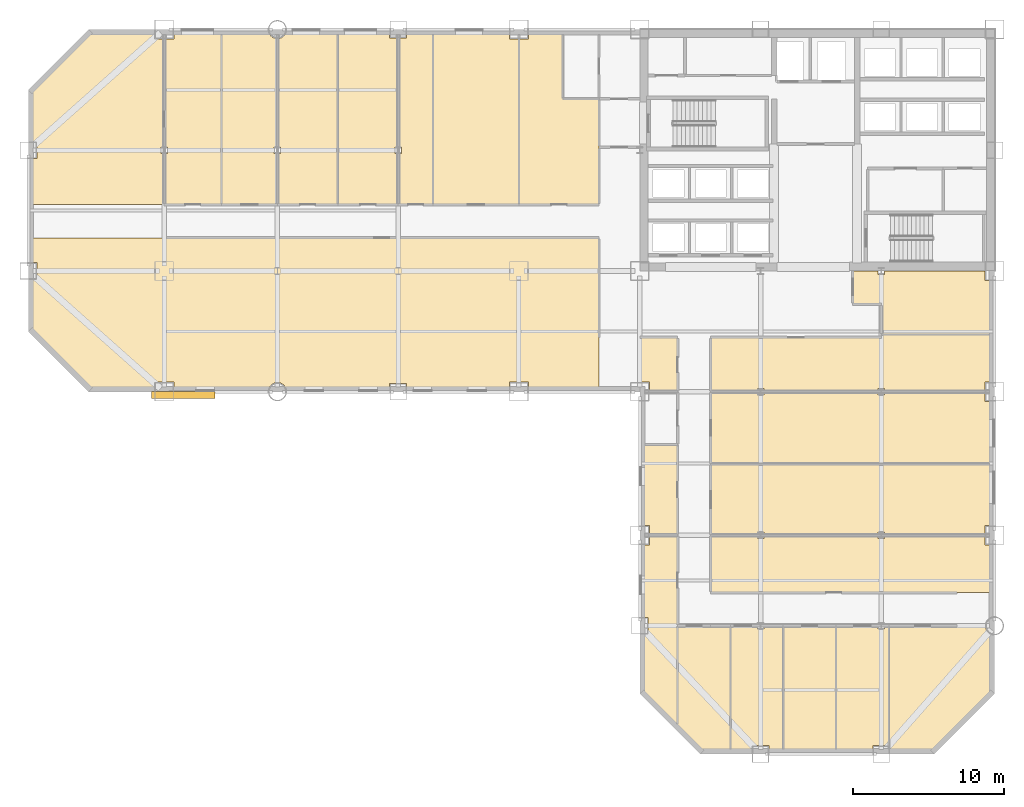
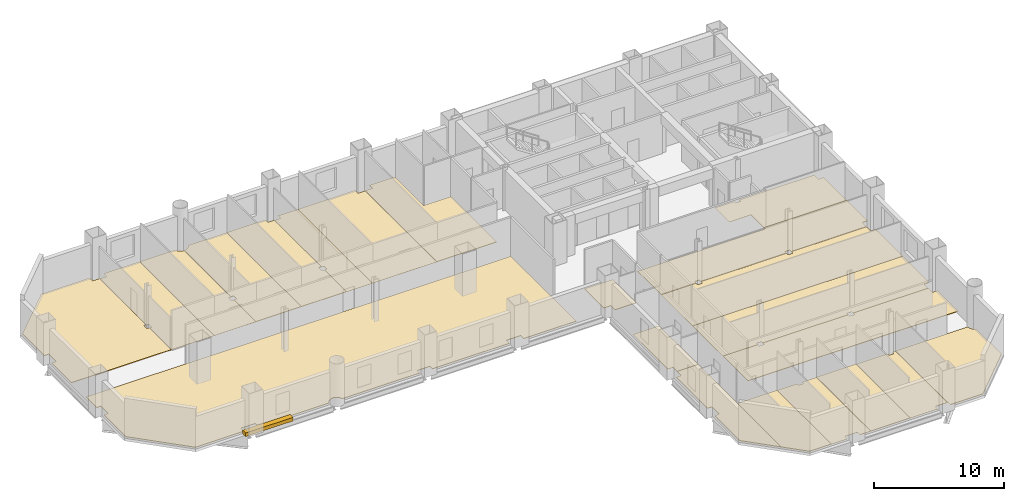
# One storey, part 8 of 9: 22 coverings, 1 shading device.
"""IFC4 building model written with IfcOpenShell, lengths in metres."""

from ifc_helpers import new_model, si_unit, direction, frame, origin, origin_2d, place, context, subcontext, project, spatial, polyline, rectangle, outline, extrude, material, layer, layer_set, type_object, element, save


model = new_model("IFC4")

# Units and contexts
model_context = context("Model", 3, precision=1e-05, world=origin(), true_north=direction((0.0, 1.0)))
body_context = subcontext(model_context, "Body", "Model", "MODEL_VIEW")
ifc_project = project(units=[si_unit("LENGTHUNIT", "METRE"), si_unit("AREAUNIT", "SQUARE_METRE"), si_unit("VOLUMEUNIT", "CUBIC_METRE"), si_unit("PLANEANGLEUNIT", "RADIAN"), si_unit("MASSUNIT", "GRAM", prefix="KILO")], contexts=[model_context])

# Site, building, storey
site_placement = place(None, origin())
site = spatial("IfcSite", under=ifc_project, at=site_placement, CompositionType="ELEMENT")
building_placement = place(site_placement, origin())
building = spatial("IfcBuilding", under=site, at=building_placement, Name="Qianrong Seaharbour Tower", CompositionType="ELEMENT")
storey_placement = place(building_placement, frame((0.0, 0.0, 32.199951171875)))
storey = spatial("IfcBuildingStorey", under=building, at=storey_placement, Name="L07", CompositionType="ELEMENT", Elevation=32.199951171875)

# Coverings
ifc_material_1 = material(Name="Acoustic modular carpet tile flooring")
ifc_layer_1 = layer(ifc_material_1, 0.02001953125)
ifc_layer_set_1 = layer_set([ifc_layer_1], Name="Acoustic modular carpet tile flooring")
covering_type_1 = type_object("IfcCoveringType", Name="COV-FLOOR-CARPET-20", PredefinedType="FLOORING", material=ifc_layer_set_1)
covering_1_placement = place(storey_placement, origin())
element("IfcCovering", 1, at=covering_1_placement, inside=storey, type_object=covering_type_1, Name="L07 Focus Room 2 Finish Flooring", PredefinedType="FLOORING", context=body_context, shape_type="SweptSolid", body=[
    extrude(outline(polyline([(9.0, 43.77587890625), (9.21337890625, 43.77587890625), (9.21337890625, 44.22412109375), (9.0, 44.22412109375), (9.0, 51.364990234375), (9.635009765625, 51.364990234375), (9.635009765625, 51.824951171875), (12.800048828125, 51.824951171875), (12.800048828125, 40.39990234375), (9.0, 40.39990234375), (9.0, 43.77587890625)])), origin(), (0.0, 0.0, 1.0), 0.02001953125),
])
covering_2_placement = place(storey_placement, origin())
element("IfcCovering", 2, at=covering_2_placement, inside=storey, type_object=covering_type_1, Name="L07 Meeting Room 3 Finish Flooring", PredefinedType="FLOORING", context=body_context, shape_type="SweptSolid", body=[
    extrude(outline(polyline([(12.800048828125, 51.824951171875), (15.918701171875, 51.824951171875), (15.936279296875, 51.7666015625), (15.992919921875, 51.6611328125), (16.068603515625, 51.568603515625), (16.1611328125, 51.492919921875), (16.2666015625, 51.436279296875), (16.381103515625, 51.401611328125), (16.5, 51.389892578125), (16.5, 44.22412109375), (16.28662109375, 44.22412109375), (16.28662109375, 43.77587890625), (16.5, 43.77587890625), (16.5, 40.39990234375), (12.800048828125, 40.39990234375), (12.800048828125, 51.824951171875)])), origin(), (0.0, 0.0, 1.0), 0.02001953125),
])
covering_3_placement = place(storey_placement, origin())
element("IfcCovering", 3, at=covering_3_placement, inside=storey, type_object=covering_type_1, Name="L07 Focus Room 6 Finish Flooring", PredefinedType="FLOORING", context=body_context, shape_type="SweptSolid", body=[
    extrude(outline(polyline([(24.5, 43.77587890625), (24.71337890625, 43.77587890625), (24.71337890625, 44.22412109375), (24.5, 44.22412109375), (24.5, 51.43994140625), (25.06005859375, 51.43994140625), (25.06005859375, 51.824951171875), (26.800048828125, 51.824951171875), (26.800048828125, 40.39990234375), (24.5, 40.39990234375), (24.5, 43.77587890625)])), origin(), (0.0, 0.0, 1.0), 0.02001953125),
])
covering_4_placement = place(storey_placement, origin())
element("IfcCovering", 4, at=covering_4_placement, inside=storey, type_object=covering_type_1, Name="L07 Meeting Room 7 Finish Flooring", PredefinedType="FLOORING", context=body_context, shape_type="SweptSolid", body=[
    extrude(outline(polyline([(26.800048828125, 51.824951171875), (31.864990234375, 51.824951171875), (31.864990234375, 51.364990234375), (32.5, 51.364990234375), (32.5, 40.39990234375), (26.800048828125, 40.39990234375), (26.800048828125, 51.824951171875)])), origin(), (0.0, 0.0, 1.0), 0.02001953125),
])
covering_5_placement = place(storey_placement, origin())
element("IfcCovering", 5, at=covering_5_placement, inside=storey, type_object=covering_type_1, Name="L07 Boardroom 2 Finish Flooring", PredefinedType="FLOORING", context=body_context, shape_type="SweptSolid", body=[
    extrude(outline(polyline([(63.824951171875, 23.199951171875), (63.824951171875, 19.135009765625), (63.364990234375, 19.135009765625), (63.364990234375, 18.5), (56.71337890625, 18.5), (56.71337890625, 18.72412109375), (56.28662109375, 18.72412109375), (56.28662109375, 18.5), (48.71337890625, 18.5), (48.71337890625, 18.72412109375), (48.28662109375, 18.72412109375), (48.28662109375, 18.5), (45.199951171875, 18.5), (45.199951171875, 23.199951171875), (63.824951171875, 23.199951171875)])), origin(), (0.0, 0.0, 1.0), 0.02001953125),
])
covering_6_placement = place(storey_placement, origin())
element("IfcCovering", 6, at=covering_6_placement, inside=storey, type_object=covering_type_1, Name="L07 Focus Room 3 Finish Flooring", PredefinedType="FLOORING", context=body_context, shape_type="SweptSolid", body=[
    extrude(outline(polyline([(48.28662109375, 28.0), (48.28662109375, 27.77587890625), (48.71337890625, 27.77587890625), (48.71337890625, 28.0), (56.28662109375, 28.0), (56.28662109375, 27.77587890625), (56.71337890625, 27.77587890625), (56.71337890625, 28.0), (63.364990234375, 28.0), (63.364990234375, 27.364990234375), (63.824951171875, 27.364990234375), (63.824951171875, 23.199951171875), (45.199951171875, 23.199951171875), (45.199951171875, 28.0), (48.28662109375, 28.0)])), origin(), (0.0, 0.0, 1.0), 0.02001953125),
])
covering_7_placement = place(storey_placement, origin())
element("IfcCovering", 7, at=covering_7_placement, inside=storey, type_object=covering_type_1, Name="L07 Boardroom 5 Finish Flooring", PredefinedType="FLOORING", context=body_context, shape_type="SweptSolid", body=[
    extrude(outline(polyline([(63.824951171875, 31.800048828125), (56.5, 31.800048828125), (56.5, 33.800048828125), (54.60009765625, 33.800048828125), (54.60009765625, 36.0), (56.28662109375, 36.0), (56.28662109375, 35.77587890625), (56.71337890625, 35.77587890625), (56.71337890625, 36.0), (63.364990234375, 36.0), (63.364990234375, 35.364990234375), (63.824951171875, 35.364990234375), (63.824951171875, 31.800048828125)])), origin(), (0.0, 0.0, 1.0), 0.02001953125),
])
covering_8_placement = place(storey_placement, origin())
element("IfcCovering", 8, at=covering_8_placement, inside=storey, type_object=covering_type_1, Name="L07 Wet Pantry 2 Finish Flooring", PredefinedType="FLOORING", context=body_context, shape_type="SweptSolid", body=[
    extrude(outline(polyline([(41.135009765625, 18.5), (41.135009765625, 19.135009765625), (40.675048828125, 19.135009765625), (40.675048828125, 24.5), (43.0, 24.5), (43.0, 18.5), (41.135009765625, 18.5)])), origin(), (0.0, 0.0, 1.0), 0.02001953125),
])
covering_9_placement = place(storey_placement, origin())
element("IfcCovering", 9, at=covering_9_placement, inside=storey, type_object=covering_type_1, Name="L07 Meeting Room 2 Finish Flooring", PredefinedType="FLOORING", context=body_context, shape_type="SweptSolid", body=[
    extrude(outline(polyline([(50.0, 4.175048828125), (49.06005859375, 4.175048828125), (49.06005859375, 4.56005859375), (47.93994140625, 4.56005859375), (47.93994140625, 4.175048828125), (46.5, 4.175048828125), (46.5, 12.5), (48.28662109375, 12.5), (48.28662109375, 12.27587890625), (48.71337890625, 12.27587890625), (48.71337890625, 12.5), (50.0, 12.5), (50.0, 4.175048828125)])), origin(), (0.0, 0.0, 1.0), 0.02001953125),
])
covering_10_placement = place(storey_placement, origin())
element("IfcCovering", 10, at=covering_10_placement, inside=storey, type_object=covering_type_1, Name="L07 Meeting Room 4 Finish Flooring", PredefinedType="FLOORING", context=body_context, shape_type="SweptSolid", body=[
    extrude(outline(polyline([(57.0, 4.56005859375), (55.93994140625, 4.56005859375), (55.93994140625, 4.175048828125), (53.5, 4.175048828125), (53.5, 12.5), (56.28662109375, 12.5), (56.28662109375, 12.27587890625), (56.71337890625, 12.27587890625), (56.71337890625, 12.5), (57.0, 12.5), (57.0, 4.56005859375)])), origin(), (0.0, 0.0, 1.0), 0.02001953125),
])
ifc_material_2 = material(Name="Calcium-sulphate raised access floor tile")
ifc_layer_2 = layer(ifc_material_2, 0.044921875)
ifc_layer_set_2 = layer_set([ifc_layer_2], Name="Calcium-sulphate raised access floor tile")
covering_type_2 = type_object("IfcCoveringType", Name="COV-FLOOR-RAISED-45", PredefinedType="FLOORING", material=ifc_layer_set_2)
covering_11_placement = place(storey_placement, origin())
element("IfcCovering", 11, at=covering_11_placement, inside=storey, type_object=covering_type_2, Name="L07 Open-Plan Office Finish Flooring", PredefinedType="FLOORING", context=body_context, shape_type="SweptSolid", body=[
    extrude(outline(polyline([(33.135009765625, 28.175048828125), (33.135009765625, 28.635009765625), (31.864990234375, 28.635009765625), (31.864990234375, 28.175048828125), (25.06005859375, 28.175048828125), (25.06005859375, 28.56005859375), (23.93994140625, 28.56005859375), (23.93994140625, 28.175048828125), (17.081298828125, 28.175048828125), (17.063720703125, 28.2333984375), (17.007080078125, 28.3388671875), (16.931396484375, 28.431396484375), (16.8388671875, 28.507080078125), (16.7333984375, 28.563720703125), (16.618896484375, 28.598388671875), (16.5, 28.610107421875), (16.381103515625, 28.598388671875), (16.2666015625, 28.563720703125), (16.1611328125, 28.507080078125), (16.068603515625, 28.431396484375), (15.992919921875, 28.3388671875), (15.936279296875, 28.2333984375), (15.918701171875, 28.175048828125), (9.635009765625, 28.175048828125), (9.635009765625, 28.635009765625), (8.364990234375, 28.635009765625), (8.364990234375, 28.175048828125), (4.072509765625, 28.175048828125), (0.175048828125, 32.072509765625), (0.175048828125, 35.43994140625), (0.56005859375, 35.43994140625), (0.56005859375, 36.56005859375), (0.175048828125, 36.56005859375), (0.175048828125, 38.199951171875), (37.800048828125, 38.199951171875), (37.800048828125, 28.175048828125), (33.135009765625, 28.175048828125)])), origin(), (0.0, 0.0, 1.0), 0.045166015625),
])
covering_12_placement = place(storey_placement, origin())
element("IfcCovering", 12, at=covering_12_placement, inside=storey, type_object=covering_type_2, Name="L07 Executive Office 1 Finish Flooring", PredefinedType="FLOORING", context=body_context, shape_type="SweptSolid", body=[
    extrude(outline(polyline([(0.175048828125, 43.43994140625), (0.56005859375, 43.43994140625), (0.56005859375, 44.56005859375), (0.175048828125, 44.56005859375), (0.175048828125, 47.927490234375), (4.072509765625, 51.824951171875), (8.364990234375, 51.824951171875), (8.364990234375, 51.364990234375), (9.0, 51.364990234375), (9.0, 44.22412109375), (8.78662109375, 44.22412109375), (8.78662109375, 43.77587890625), (9.0, 43.77587890625), (9.0, 40.39990234375), (0.175048828125, 40.39990234375), (0.175048828125, 43.43994140625)])), origin(), (0.0, 0.0, 1.0), 0.045166015625),
])
covering_13_placement = place(storey_placement, origin())
element("IfcCovering", 13, at=covering_13_placement, inside=storey, type_object=covering_type_2, Name="L07 Executive Office 4 Finish Flooring", PredefinedType="FLOORING", context=body_context, shape_type="SweptSolid", body=[
    extrude(outline(polyline([(16.5, 43.77587890625), (16.71337890625, 43.77587890625), (16.71337890625, 44.22412109375), (16.5, 44.22412109375), (16.5, 51.389892578125), (16.618896484375, 51.401611328125), (16.7333984375, 51.436279296875), (16.8388671875, 51.492919921875), (16.931396484375, 51.568603515625), (17.007080078125, 51.6611328125), (17.063720703125, 51.7666015625), (17.081298828125, 51.824951171875), (20.5, 51.824951171875), (20.5, 40.39990234375), (16.5, 40.39990234375), (16.5, 43.77587890625)])), origin(), (0.0, 0.0, 1.0), 0.045166015625),
])
covering_14_placement = place(storey_placement, origin())
element("IfcCovering", 14, at=covering_14_placement, inside=storey, type_object=covering_type_2, Name="L07 Executive Office 5 Finish Flooring", PredefinedType="FLOORING", context=body_context, shape_type="SweptSolid", body=[
    extrude(outline(polyline([(20.5, 51.824951171875), (23.93994140625, 51.824951171875), (23.93994140625, 51.43994140625), (24.5, 51.43994140625), (24.5, 44.22412109375), (24.28662109375, 44.22412109375), (24.28662109375, 43.77587890625), (24.5, 43.77587890625), (24.5, 40.39990234375), (20.5, 40.39990234375), (20.5, 51.824951171875)])), origin(), (0.0, 0.0, 1.0), 0.045166015625),
])
covering_15_placement = place(storey_placement, origin())
element("IfcCovering", 15, at=covering_15_placement, inside=storey, type_object=covering_type_2, Name="L07 Executive Office 8 Finish Flooring", PredefinedType="FLOORING", context=body_context, shape_type="SweptSolid", body=[
    extrude(outline(polyline([(32.5, 51.364990234375), (33.135009765625, 51.364990234375), (33.135009765625, 51.824951171875), (35.39990234375, 51.824951171875), (35.39990234375, 47.39990234375), (37.800048828125, 47.39990234375), (37.800048828125, 40.39990234375), (32.5, 40.39990234375), (32.5, 51.364990234375)])), origin(), (0.0, 0.0, 1.0), 0.045166015625),
])
covering_16_placement = place(storey_placement, origin())
element("IfcCovering", 16, at=covering_16_placement, inside=storey, type_object=covering_type_2, Name="L07 Executive Office 1 Finish Flooring", PredefinedType="FLOORING", context=body_context, shape_type="SweptSolid", body=[
    extrude(outline(polyline([(48.28662109375, 18.5), (48.28662109375, 18.27587890625), (48.71337890625, 18.27587890625), (48.71337890625, 18.5), (56.28662109375, 18.5), (56.28662109375, 18.27587890625), (56.71337890625, 18.27587890625), (56.71337890625, 18.5), (63.364990234375, 18.5), (63.364990234375, 17.864990234375), (63.824951171875, 17.864990234375), (63.824951171875, 14.699951171875), (45.199951171875, 14.699951171875), (45.199951171875, 18.5), (48.28662109375, 18.5)])), origin(), (0.0, 0.0, 1.0), 0.045166015625),
])
covering_17_placement = place(storey_placement, origin())
element("IfcCovering", 17, at=covering_17_placement, inside=storey, type_object=covering_type_2, Name="L07 Executive Office 4 Finish Flooring", PredefinedType="FLOORING", context=body_context, shape_type="SweptSolid", body=[
    extrude(outline(polyline([(56.5, 31.60009765625), (56.5, 31.800048828125), (63.824951171875, 31.800048828125), (63.824951171875, 28.635009765625), (63.364990234375, 28.635009765625), (63.364990234375, 28.0), (56.71337890625, 28.0), (56.71337890625, 28.22412109375), (56.28662109375, 28.22412109375), (56.28662109375, 28.0), (48.71337890625, 28.0), (48.71337890625, 28.22412109375), (48.28662109375, 28.22412109375), (48.28662109375, 28.0), (45.199951171875, 28.0), (45.199951171875, 31.60009765625), (56.5, 31.60009765625)])), origin(), (0.0, 0.0, 1.0), 0.045166015625),
])
covering_18_placement = place(storey_placement, origin())
element("IfcCovering", 18, at=covering_18_placement, inside=storey, type_object=covering_type_2, Name="L07 Executive Office 1 Finish Flooring", PredefinedType="FLOORING", context=body_context, shape_type="SweptSolid", body=[
    extrude(outline(polyline([(40.675048828125, 8.072509765625), (40.675048828125, 11.93994140625), (41.06005859375, 11.93994140625), (41.06005859375, 13.06005859375), (40.675048828125, 13.06005859375), (40.675048828125, 17.864990234375), (41.135009765625, 17.864990234375), (41.135009765625, 18.5), (43.0, 18.5), (43.0, 5.74755859375), (40.675048828125, 8.072509765625)])), origin(), (0.0, 0.0, 1.0), 0.045166015625),
])
covering_19_placement = place(storey_placement, origin())
element("IfcCovering", 19, at=covering_19_placement, inside=storey, type_object=covering_type_2, Name="L07 Executive Office 4 Finish Flooring", PredefinedType="FLOORING", context=body_context, shape_type="SweptSolid", body=[
    extrude(outline(polyline([(43.0, 28.0), (41.135009765625, 28.0), (41.135009765625, 28.635009765625), (40.5, 28.635009765625), (40.5, 31.60009765625), (43.0, 31.60009765625), (43.0, 28.0)])), origin(), (0.0, 0.0, 1.0), 0.045166015625),
])
covering_20_placement = place(storey_placement, origin())
element("IfcCovering", 20, at=covering_20_placement, inside=storey, type_object=covering_type_2, Name="L07 Executive Office 1 Finish Flooring", PredefinedType="FLOORING", context=body_context, shape_type="SweptSolid", body=[
    extrude(outline(polyline([(46.5, 4.175048828125), (44.572509765625, 4.175048828125), (43.0, 5.74755859375), (43.0, 12.5), (46.5, 12.5), (46.5, 4.175048828125)])), origin(), (0.0, 0.0, 1.0), 0.045166015625),
])
covering_21_placement = place(storey_placement, origin())
element("IfcCovering", 21, at=covering_21_placement, inside=storey, type_object=covering_type_2, Name="L07 Executive Office 3 Finish Flooring", PredefinedType="FLOORING", context=body_context, shape_type="SweptSolid", body=[
    extrude(outline(polyline([(53.5, 4.175048828125), (50.0, 4.175048828125), (50.0, 12.5), (53.5, 12.5), (53.5, 4.175048828125)])), origin(), (0.0, 0.0, 1.0), 0.045166015625),
])
covering_22_placement = place(storey_placement, origin())
element("IfcCovering", 22, at=covering_22_placement, inside=storey, type_object=covering_type_2, Name="L07 Executive Office 5 Finish Flooring", PredefinedType="FLOORING", context=body_context, shape_type="SweptSolid", body=[
    extrude(outline(polyline([(63.824951171875, 8.072509765625), (59.927490234375, 4.175048828125), (57.06005859375, 4.175048828125), (57.06005859375, 4.56005859375), (57.0, 4.56005859375), (57.0, 12.5), (63.389892578125, 12.5), (63.401611328125, 12.381103515625), (63.436279296875, 12.2666015625), (63.492919921875, 12.1611328125), (63.568603515625, 12.068603515625), (63.6611328125, 11.992919921875), (63.7666015625, 11.936279296875), (63.824951171875, 11.918701171875), (63.824951171875, 8.072509765625)])), origin(), (0.0, 0.0, 1.0), 0.045166015625),
])

# Shading device
ifc_material_3 = material(Name="White architectural precast concrete C45/55", Category="concrete")
shading_device_type = type_object("IfcShadingDeviceType", Name="SHD-SUNSHADE-WHITE-320", PredefinedType="AWNING", material=ifc_material_3)
shading_device_placement = place(storey_placement, frame((10.262451171875, 27.780029296875, -0.02001953125), z_axis=(0.0, 0.0, 1.0), x_axis=(1.0, 0.0, 0.0)))
element("IfcShadingDevice", 23, at=shading_device_placement, inside=storey, type_object=shading_device_type, Name="L07 Climbing White Precast Ribbon Canopy Fin", PredefinedType="AWNING", context=body_context, shape_type="SweptSolid", body=[
    extrude(rectangle(XDim=4.199951171875, YDim=0.4599609375, at=origin_2d()), origin(), (0.0, 0.0, 1.0), 0.340087890625),
])

save(model, "model.ifc")
